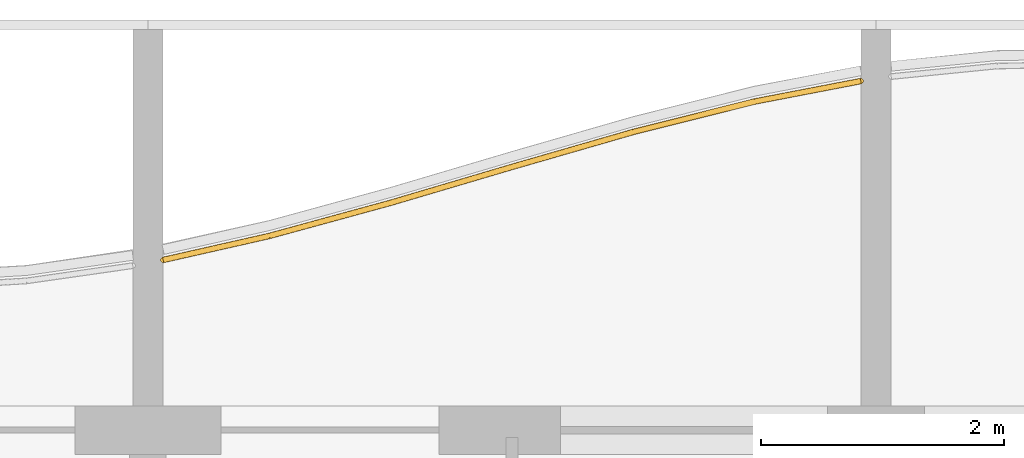
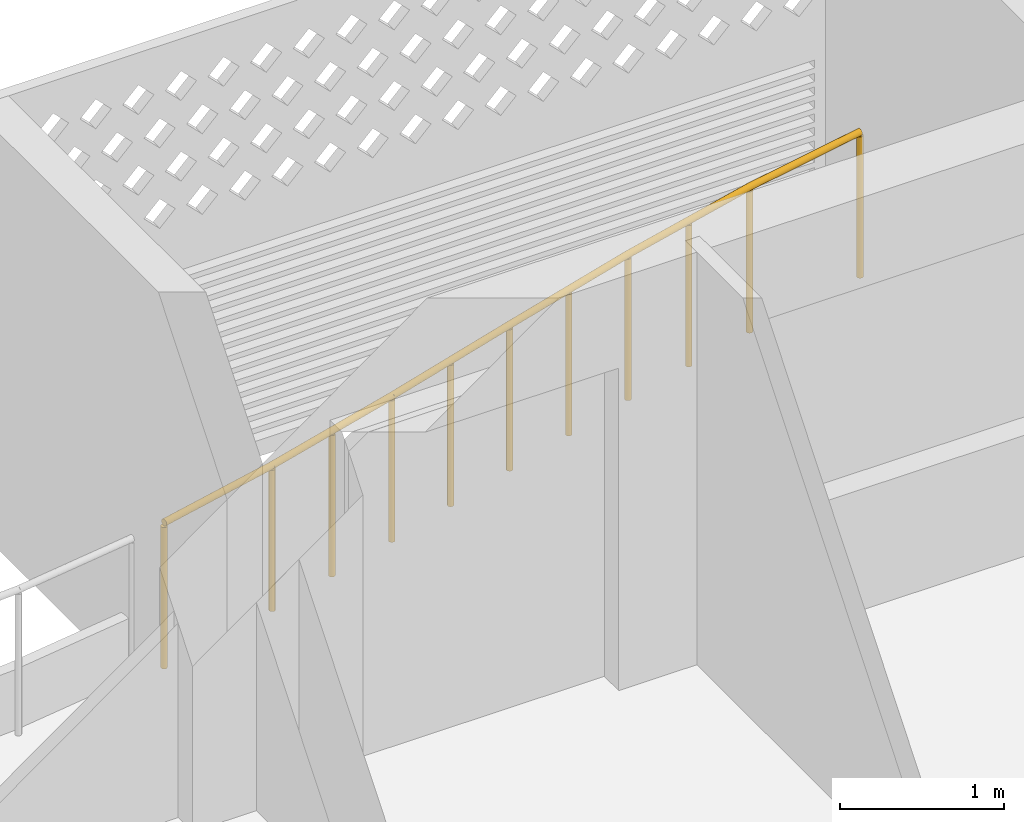
# One storey, part 28 of 31: 1 railing.
"""IFC4 building model written with IfcOpenShell, lengths in metres."""

from ifc_helpers import new_model, si_unit, direction, frame, origin, origin_2d, place, context, subcontext, project, spatial, circle, extrude, material, type_object, element, save


model = new_model("IFC4")

# Units and contexts
model_context = context("Model", 3, precision=1e-05, world=origin(), true_north=direction((0.0, 1.0)))
body_context = subcontext(model_context, "Body", "Model", "MODEL_VIEW")
ifc_project = project(units=[si_unit("LENGTHUNIT", "METRE"), si_unit("AREAUNIT", "SQUARE_METRE"), si_unit("VOLUMEUNIT", "CUBIC_METRE"), si_unit("PLANEANGLEUNIT", "RADIAN"), si_unit("MASSUNIT", "GRAM", prefix="KILO")], contexts=[model_context])

# Site, building, storey
site_placement = place(None, origin())
site = spatial("IfcSite", under=ifc_project, at=site_placement, CompositionType="ELEMENT")
building_placement = place(site_placement, origin())
building = spatial("IfcBuilding", under=site, at=building_placement, Name="Poui Terraces", CompositionType="ELEMENT")
storey_placement = place(building_placement, frame((0.0, 0.0, 142.199951171875)))
storey = spatial("IfcBuildingStorey", under=building, at=storey_placement, Name="L39", CompositionType="ELEMENT", Elevation=142.199951171875)

# Railing
ifc_material = material(Name="Painted steel fretwork", Category="steel")
railing_type = type_object("IfcRailingType", Name="BALCONY GUARD 1100", PredefinedType="GUARDRAIL", material=ifc_material)
railing_placement = place(storey_placement, frame((72.125, 43.802490234375, 0.0)))
element("IfcRailing", 1, at=railing_placement, inside=storey, type_object=railing_type, Name="BALCONY GUARD", PredefinedType="GUARDRAIL", context=body_context, shape_type="SweptSolid", body=[
    extrude(circle(Radius=0.02392578125, at=origin_2d()), frame((0.0, 0.0, 1.076171875), z_axis=(0.975340938218, 0.220703543777, 0.0), x_axis=(-0.220703543777, 0.975340938218, 0.0)), (0.0, 0.0, 1.0), 0.897216796875),
    extrude(circle(Radius=0.02392578125, at=origin_2d()), frame((0.875, 0.197998046875, 1.076171875), z_axis=(0.964649598631, 0.26353586447, 0.0), x_axis=(-0.26353586447, 0.964649598631, 0.0)), (0.0, 0.0, 1.0), 1.03662109375),
    extrude(circle(Radius=0.02392578125, at=origin_2d()), frame((1.875, 0.47119140625, 1.076171875), z_axis=(0.958965639945, 0.283522312005, 0.0), x_axis=(-0.283522312005, 0.958965639945, 0.0)), (0.0, 0.0, 1.0), 1.042724609375),
    extrude(circle(Radius=0.02392578125, at=origin_2d()), frame((2.875, 0.766845703125, 1.076171875), z_axis=(0.960857222001, 0.277044037887, 0.0), x_axis=(-0.277044037887, 0.960857222001, 0.0)), (0.0, 0.0, 1.0), 1.040771484375),
    extrude(circle(Radius=0.02392578125, at=origin_2d()), frame((3.875, 1.05517578125, 1.076171875), z_axis=(0.969975109493, 0.243204208362, 0.0), x_axis=(-0.243204208362, 0.969975109493, 0.0)), (0.0, 0.0, 1.0), 1.031005859375),
    extrude(circle(Radius=0.02392578125, at=origin_2d()), frame((4.875, 1.305908203125, 1.076171875), z_axis=(0.981967340867, 0.189050632031, 0.0), x_axis=(-0.189050632031, 0.981967340867, 0.0)), (0.0, 0.0, 1.0), 0.89111328125),
    extrude(circle(Radius=0.02099609375, at=origin_2d()), origin(), (0.0, 0.0, 1.0), 1.052001953125),
    extrude(circle(Radius=0.02099609375, at=origin_2d()), frame((0.875, 0.197998046875, 0.0)), (0.0, 0.0, 1.0), 1.052001953125),
    extrude(circle(Radius=0.02099609375, at=origin_2d()), frame((1.375, 0.33447265625, 0.0)), (0.0, 0.0, 1.0), 1.052001953125),
    extrude(circle(Radius=0.02099609375, at=origin_2d()), frame((1.875, 0.47119140625, 0.0)), (0.0, 0.0, 1.0), 1.052001953125),
    extrude(circle(Radius=0.02099609375, at=origin_2d()), frame((2.375, 0.619140625, 0.0)), (0.0, 0.0, 1.0), 1.052001953125),
    extrude(circle(Radius=0.02099609375, at=origin_2d()), frame((2.875, 0.766845703125, 0.0)), (0.0, 0.0, 1.0), 1.052001953125),
    extrude(circle(Radius=0.02099609375, at=origin_2d()), frame((3.375, 0.9111328125, 0.0)), (0.0, 0.0, 1.0), 1.052001953125),
    extrude(circle(Radius=0.02099609375, at=origin_2d()), frame((3.875, 1.05517578125, 0.0)), (0.0, 0.0, 1.0), 1.052001953125),
    extrude(circle(Radius=0.02099609375, at=origin_2d()), frame((4.375, 1.1806640625, 0.0)), (0.0, 0.0, 1.0), 1.052001953125),
    extrude(circle(Radius=0.02099609375, at=origin_2d()), frame((4.875, 1.305908203125, 0.0)), (0.0, 0.0, 1.0), 1.052001953125),
    extrude(circle(Radius=0.02099609375, at=origin_2d()), frame((5.75, 1.474365234375, 0.0)), (0.0, 0.0, 1.0), 1.052001953125),
])

save(model, "model.ifc")
